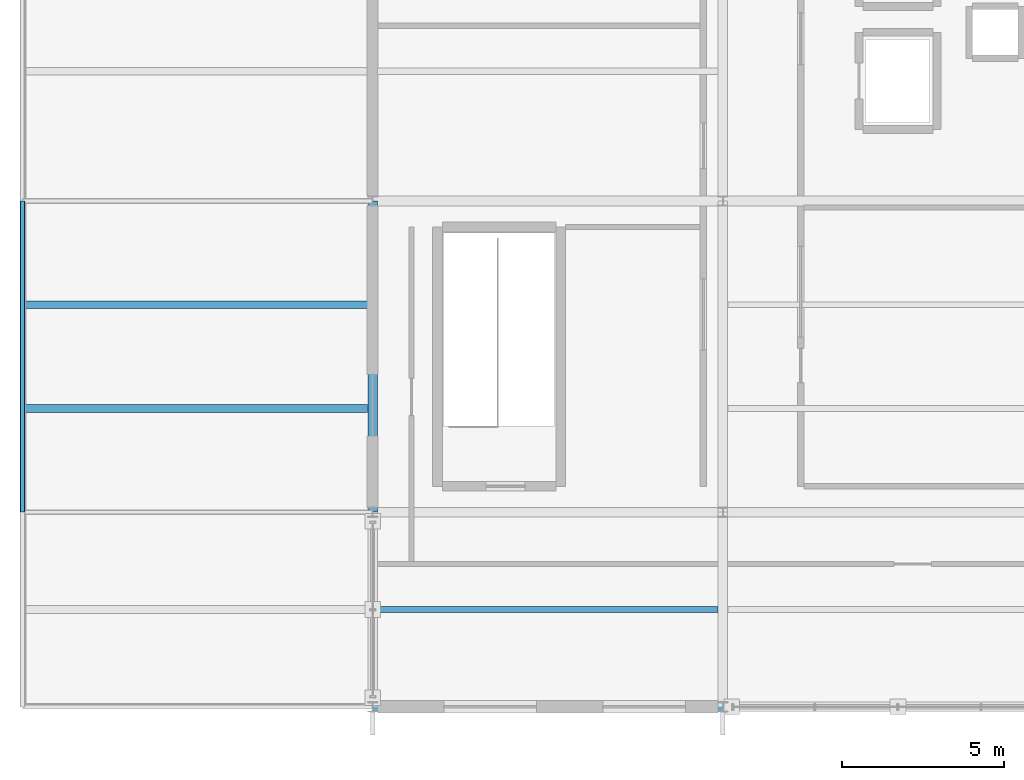
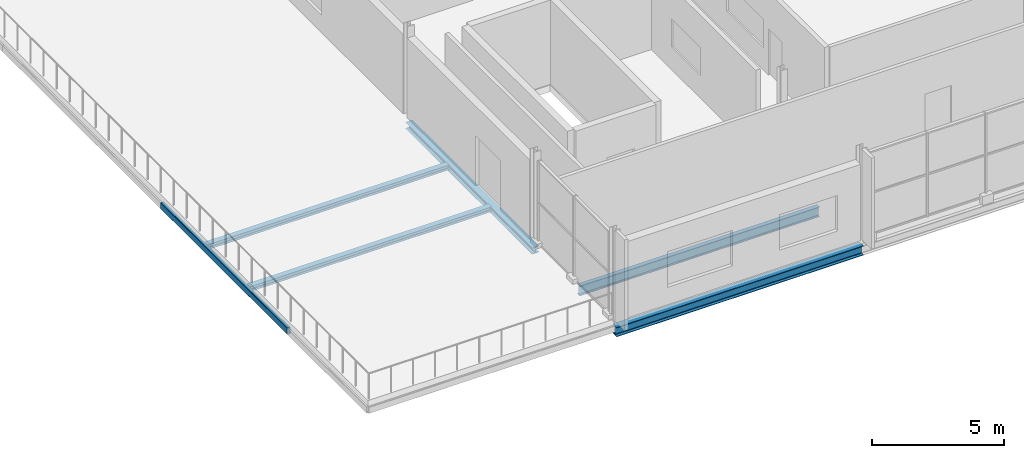
# One storey, part 4 of 13: 6 beams.
"""IFC4 building model written with IfcOpenShell, lengths in metres."""

from ifc_helpers import new_model, si_unit, direction, frame, origin, origin_2d, place, context, subcontext, project, spatial, hollow_rectangle, i_section, extrude, material, material_profile, profile_set, type_object, element, save


model = new_model("IFC4")

# Units and contexts
model_context = context("Model", 3, precision=1e-05, world=origin(), true_north=direction((0.0, 1.0)))
body_context = subcontext(model_context, "Body", "Model", "MODEL_VIEW")
ifc_project = project(units=[si_unit("LENGTHUNIT", "METRE"), si_unit("AREAUNIT", "SQUARE_METRE"), si_unit("VOLUMEUNIT", "CUBIC_METRE"), si_unit("PLANEANGLEUNIT", "RADIAN"), si_unit("MASSUNIT", "GRAM", prefix="KILO")], contexts=[model_context])

# Site, building, storey
site_placement = place(None, origin())
site = spatial("IfcSite", under=ifc_project, at=site_placement, CompositionType="ELEMENT")
building_placement = place(site_placement, origin())
building = spatial("IfcBuilding", under=site, at=building_placement, Name="Merenkruunu Market Hall", CompositionType="ELEMENT")
storey_placement = place(building_placement, frame((0.0, 0.0, 14.39990234375)))
storey = spatial("IfcBuildingStorey", under=building, at=storey_placement, Name="L03", CompositionType="ELEMENT", Elevation=14.39990234375)

# Beams
ifc_material = material(Name="Steel S355J2", Category="steel")
ifc_material_profile_1 = material_profile(ifc_material, hollow_rectangle(XDim=0.14990234375, YDim=0.300048828125, WallThickness=0.012451171875, InnerFilletRadius=0.012451171875, OuterFilletRadius=0.02490234375, at=origin_2d()), Name="RHS 300x150x12.5")
ifc_profile_set_1 = profile_set([ifc_material_profile_1], Name="Steel S355J2")
beam_type_1 = type_object("IfcBeamType", Name="Perimeter Spandrel Beam SP03", PredefinedType="SPANDREL", material=ifc_profile_set_1)
beam_1_placement = place(storey_placement, frame((148.800048828125, 6.0, -0.419921875), z_axis=(0.0, 1.0, 0.0), x_axis=(-1.0, 0.0, 0.0)))
element("IfcBeam", 1, at=beam_1_placement, inside=storey, type_object=beam_type_1, Name="BM-L03-SP03-0876", PredefinedType="SPANDREL", context=body_context, shape_type="SweptSolid", body=[
    extrude(hollow_rectangle(XDim=0.14990234375, YDim=0.300048828125, WallThickness=0.012451171875, InnerFilletRadius=0.012451171875, OuterFilletRadius=0.02490234375, at=origin_2d()), origin(), (0.0, 0.0, 1.0), 9.60009765625),
])
ifc_material_profile_2 = material_profile(ifc_material, i_section(OverallWidth=0.300048828125, OverallDepth=0.43994140625, WebThickness=0.011474609375, FlangeThickness=0.02099609375, FilletRadius=0.027099609375, at=origin_2d()), Name="HEA 450")
ifc_profile_set_2 = profile_set([ifc_material_profile_2], Name="Steel S355J2")
beam_type_2 = type_object("IfcBeamType", Name="Primary Floor Girder B07", PredefinedType="BEAM", material=ifc_profile_set_2)
beam_2_placement = place(storey_placement, frame((159.60009765625, 0.0, -0.52978515625), z_axis=(1.0, 0.0, 0.0), x_axis=(0.0, 1.0, 0.0)))
element("IfcBeam", 2, at=beam_2_placement, inside=storey, type_object=beam_type_2, Name="BM-L03-B07-0856", PredefinedType="BEAM", context=body_context, shape_type="SweptSolid", body=[
    extrude(i_section(OverallWidth=0.300048828125, OverallDepth=0.43994140625, WebThickness=0.011474609375, FlangeThickness=0.02099609375, FilletRadius=0.027099609375, at=origin_2d()), origin(), (0.0, 0.0, 1.0), 10.7998046875),
])
ifc_material_profile_3 = material_profile(ifc_material, i_section(OverallWidth=0.300048828125, OverallDepth=0.2900390625, WebThickness=0.008544921875, FlangeThickness=0.013916015625, FilletRadius=0.027099609375, at=origin_2d()), Name="HEA 300")
ifc_profile_set_3 = profile_set([ifc_material_profile_3], Name="Steel S355J2")
beam_type_3 = type_object("IfcBeamType", Name="Primary Floor Girder B09", PredefinedType="BEAM", material=ifc_profile_set_3)
beam_3_placement = place(storey_placement, frame((159.60009765625, 6.0, -0.454833984375), z_axis=(0.0, 1.0, 0.0), x_axis=(-1.0, 0.0, 0.0)))
element("IfcBeam", 3, at=beam_3_placement, inside=storey, type_object=beam_type_3, Name="BM-L03-B09-0880", PredefinedType="BEAM", context=body_context, shape_type="SweptSolid", body=[
    extrude(i_section(OverallWidth=0.300048828125, OverallDepth=0.2900390625, WebThickness=0.008544921875, FlangeThickness=0.013916015625, FilletRadius=0.027099609375, at=origin_2d()), origin(), (0.0, 0.0, 1.0), 9.60009765625),
])
ifc_material_profile_4 = material_profile(ifc_material, i_section(OverallWidth=0.18994140625, OverallDepth=0.449951171875, WebThickness=0.009521484375, FlangeThickness=0.0146484375, FilletRadius=0.02099609375, at=origin_2d()), Name="IPE 450")
ifc_profile_set_4 = profile_set([ifc_material_profile_4], Name="Steel S355J2")
beam_type_4 = type_object("IfcBeamType", Name="Secondary Floor Joist J01", PredefinedType="JOIST", material=ifc_profile_set_4)
beam_4_placement = place(storey_placement, frame((159.7529296875, 3.0, -0.534912109375), z_axis=(1.0, 0.0, 0.0), x_axis=(0.0, 1.0, 0.0)))
element("IfcBeam", 4, at=beam_4_placement, inside=storey, type_object=beam_type_4, Name="BM-L03-J01-0902", PredefinedType="JOIST", context=body_context, shape_type="SweptSolid", body=[
    extrude(i_section(OverallWidth=0.18994140625, OverallDepth=0.449951171875, WebThickness=0.009521484375, FlangeThickness=0.0146484375, FilletRadius=0.02099609375, at=origin_2d()), origin(), (0.0, 0.0, 1.0), 10.494140625),
])
ifc_material_profile_5 = material_profile(ifc_material, i_section(OverallWidth=0.239990234375, OverallDepth=0.22998046875, WebThickness=0.007568359375, FlangeThickness=0.011962890625, FilletRadius=0.02099609375, at=origin_2d()), Name="HEA 240")
ifc_profile_set_5 = profile_set([ifc_material_profile_5], Name="Steel S355J2")
beam_type_5 = type_object("IfcBeamType", Name="Secondary Floor Joist J06", PredefinedType="JOIST", material=ifc_profile_set_5)
for number, where, z_axis, x_axis, name in (
    (5, (148.8779296875, 9.199951171875, -0.385009765625), (1.0, 0.0, 0.0), (0.0, 1.0, 0.0), "BM-L03-J06-0896"),
    (6, (148.8779296875, 12.39990234375, -0.385009765625), (1.0, 0.0, 0.0), (0.0, 1.0, 0.0), "BM-L03-J06-0897"),
):
    element("IfcBeam", number, at=place(storey_placement, frame(where, z_axis=z_axis, x_axis=x_axis)), inside=storey, type_object=beam_type_5, Name=name, PredefinedType="JOIST", context=body_context, shape_type="SweptSolid", body=[
        extrude(i_section(OverallWidth=0.239990234375, OverallDepth=0.22998046875, WebThickness=0.007568359375, FlangeThickness=0.011962890625, FilletRadius=0.02099609375, at=origin_2d()), origin(), (0.0, 0.0, 1.0), 10.569091796875),
    ])

save(model, "model.ifc")
